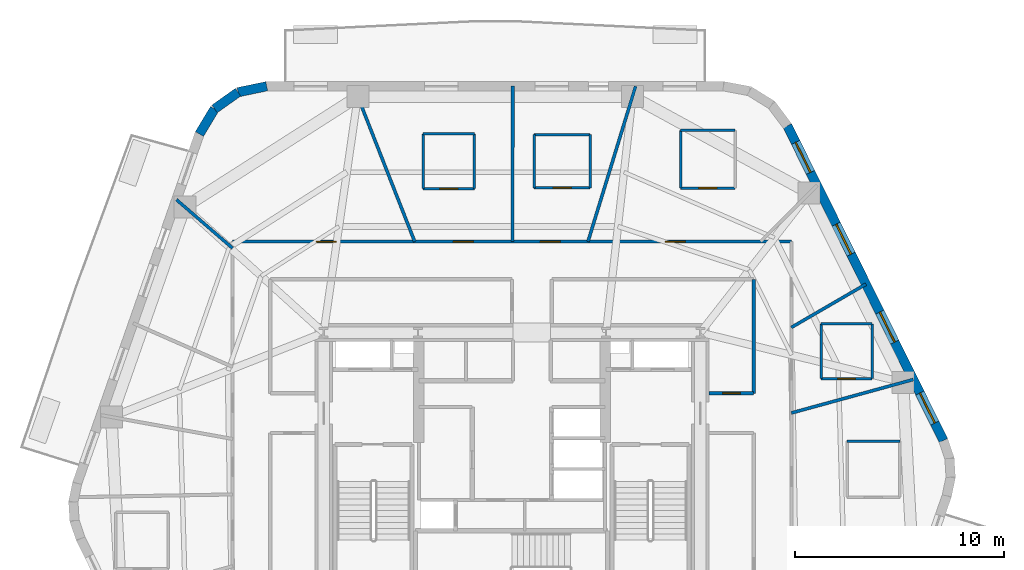
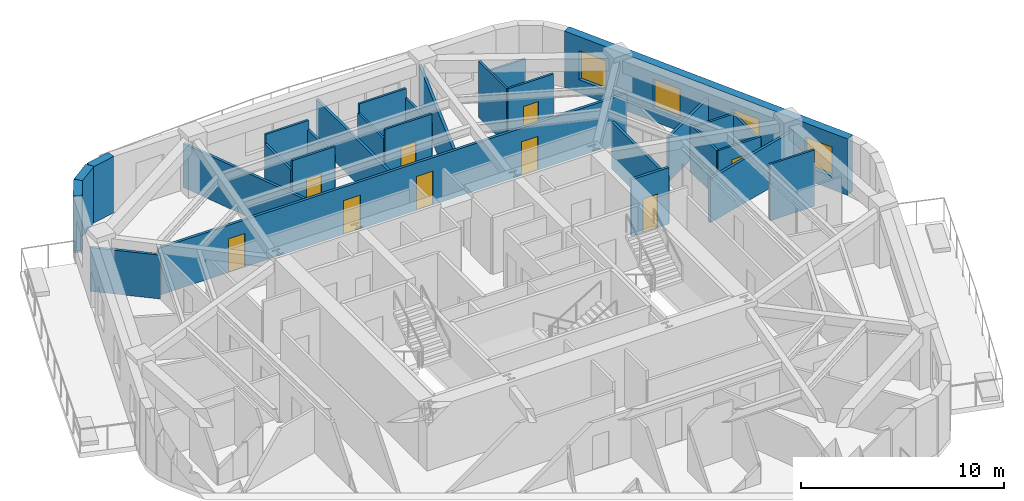
# One storey, part 6 of 11: 29 walls, 9 doors, 4 windows, 13 openings.
"""IFC4 building model written with IfcOpenShell, lengths in metres."""

from ifc_helpers import new_model, si_unit, direction, frame, frame_2d, origin, place, context, subcontext, project, spatial, rectangle, extrude, material, layer, layer_set, type_object, element, fill, save


model = new_model("IFC4")

# Units and contexts
model_context = context("Model", 3, precision=1e-05, world=origin(), true_north=direction((0.0, 1.0)))
body_context = subcontext(model_context, "Body", "Model", "MODEL_VIEW")
ifc_project = project(units=[si_unit("LENGTHUNIT", "METRE"), si_unit("AREAUNIT", "SQUARE_METRE"), si_unit("VOLUMEUNIT", "CUBIC_METRE"), si_unit("PLANEANGLEUNIT", "RADIAN"), si_unit("MASSUNIT", "GRAM", prefix="KILO")], contexts=[model_context])

# Site, building, storey
site_placement = place(None, origin())
site = spatial("IfcSite", under=ifc_project, at=site_placement, CompositionType="ELEMENT")
building_placement = place(site_placement, origin())
building = spatial("IfcBuilding", under=site, at=building_placement, Name="Kilnhurst Terrace Hotel", CompositionType="ELEMENT")
storey_placement = place(building_placement, frame((0.0, 0.0, 162.800048828125)))
storey = spatial("IfcBuildingStorey", under=building, at=storey_placement, Name="L40", CompositionType="ELEMENT", Elevation=162.800048828125)

# Walls
ifc_material_1 = material(Name="Precast concrete C40/50", Category="concrete")
ifc_layer_1 = layer(ifc_material_1, 0.449951171875, Name="Precast concrete C40/50")
ifc_layer_set_1 = layer_set([ifc_layer_1], Name="Precast concrete C40/50")
wall_type_1 = type_object("IfcWallType", Name="WL-BRK-450", PredefinedType="SOLIDWALL", material=ifc_layer_set_1)
wall_1_placement = place(storey_placement, frame((-11.720458984375, 19.27490234375, 0.0), z_axis=(0.0, 0.0, 1.0), x_axis=(-0.97893106758, -0.204191001093, 0.0)))
element("IfcWall", 1, at=wall_1_placement, inside=storey, type_object=wall_type_1, Name="L40 Rounded Corner Brick Wall C5.1", PredefinedType="SOLIDWALL", context=body_context, shape_type="SweptSolid", body=[
    extrude(rectangle(XDim=1.400146484375, YDim=0.449951171875, at=frame_2d((0.7001953125, 0.0))), origin(), (0.0, 0.0, 1.0), 3.39990234375),
])
wall_2_placement = place(storey_placement, frame((-13.091064453125, 18.989013671875, 0.0), z_axis=(0.0, 0.0, 1.0), x_axis=(-0.815574637848, -0.578651890258, 0.0)))
element("IfcWall", 2, at=wall_2_placement, inside=storey, type_object=wall_type_1, Name="L40 Rounded Corner Brick Wall C5.2", PredefinedType="SOLIDWALL", context=body_context, shape_type="SweptSolid", body=[
    extrude(rectangle(XDim=1.376708984375, YDim=0.449951171875, at=frame_2d((0.6884765625, 0.0))), origin(), (0.0, 0.0, 1.0), 3.39990234375),
])
wall_3_placement = place(storey_placement, frame((-14.2138671875, 18.1923828125, 0.0), z_axis=(0.0, 0.0, 1.0), x_axis=(-0.516340945502, -0.856383108193, 0.0)))
element("IfcWall", 3, at=wall_3_placement, inside=storey, type_object=wall_type_1, Name="L40 Rounded Corner Brick Wall C5.3", PredefinedType="SOLIDWALL", context=body_context, shape_type="SweptSolid", body=[
    extrude(rectangle(XDim=1.400146484375, YDim=0.449951171875, at=frame_2d((0.7001953125, 0.0))), origin(), (0.0, 0.0, 1.0), 3.39990234375),
])

# Wall, openings, windows
wall_4_placement = place(storey_placement, frame((20.618408203125, 2.343994140625, 0.0), z_axis=(0.0, 0.0, 1.0), x_axis=(-0.444243691097, 0.895905990002, 0.0)))
wall_4 = element("IfcWall", 4, at=wall_4_placement, inside=storey, type_object=wall_type_1, Name="L40 Exterior Brick Facade Wall F3", PredefinedType="SOLIDWALL", context=body_context, shape_type="SweptSolid", body=[
    extrude(rectangle(XDim=16.78369140625, YDim=0.449951171875, at=frame_2d((8.391845703125, 0.0))), origin(), (0.0, 0.0, 1.0), 3.39990234375),
])
opening_1_placement = place(wall_4_placement, frame((5.2451171875, 0.0, 0.800048828125)))
opening_1 = element("IfcOpeningElement", 5, at=opening_1_placement, cuts=wall_4, Name="Opening W-05", PredefinedType="OPENING", context=body_context, shape_type="SweptSolid", body=[
    extrude(rectangle(XDim=1.60009765625, YDim=1.75, at=frame_2d((0.800048828125, 0.875))), frame((0.0, 0.23486328125, 0.0), z_axis=(0.0, -1.0, 0.0), x_axis=(1.0, 0.0, 0.0)), (0.0, 0.0, 1.0), 0.469970703125),
])
opening_2_placement = place(wall_4_placement, frame((9.93603515625, 0.0, 0.800048828125)))
opening_2 = element("IfcOpeningElement", 6, at=opening_2_placement, cuts=wall_4, Name="Opening W-05", PredefinedType="OPENING", context=body_context, shape_type="SweptSolid", body=[
    extrude(rectangle(XDim=1.60009765625, YDim=1.75, at=frame_2d((0.800048828125, 0.875))), frame((0.0, 0.23486328125, 0.0), z_axis=(0.0, -1.0, 0.0), x_axis=(1.0, 0.0, 0.0)), (0.0, 0.0, 1.0), 0.469970703125),
])
opening_3_placement = place(wall_4_placement, frame((14.302978515625, 0.0, 0.800048828125)))
opening_3 = element("IfcOpeningElement", 7, at=opening_3_placement, cuts=wall_4, Name="Opening W-05", PredefinedType="OPENING", context=body_context, shape_type="SweptSolid", body=[
    extrude(rectangle(XDim=1.60009765625, YDim=1.75, at=frame_2d((0.800048828125, 0.875))), frame((0.0, 0.23486328125, 0.0), z_axis=(0.0, -1.0, 0.0), x_axis=(1.0, 0.0, 0.0)), (0.0, 0.0, 1.0), 0.469970703125),
])
opening_4_placement = place(wall_4_placement, frame((0.930908203125, 0.0, 0.800048828125)))
opening_4 = element("IfcOpeningElement", 8, at=opening_4_placement, cuts=wall_4, Name="Opening W-05", PredefinedType="OPENING", context=body_context, shape_type="SweptSolid", body=[
    extrude(rectangle(XDim=1.60009765625, YDim=1.75, at=frame_2d((0.800048828125, 0.875))), frame((0.0, 0.23486328125, 0.0), z_axis=(0.0, -1.0, 0.0), x_axis=(1.0, 0.0, 0.0)), (0.0, 0.0, 1.0), 0.469970703125),
])
ifc_material_2 = material(Name="Thermally Broken Bronze Aluminium Alloy 6063-T6 and Low-E Glass", Category="aluminium")
window_type = type_object("IfcWindowType", Name="WIN-1600X1750", PartitioningType="SINGLE_PANEL", PredefinedType="WINDOW", material=ifc_material_2)
window_1_placement = place(opening_1_placement, origin())
window_1 = element("IfcWindow", 9, at=window_1_placement, inside=storey, type_object=window_type, Name="L40 Deep-Set Masonry Window F3.1", OverallHeight=1.75, OverallWidth=1.60009765625, PartitioningType="SINGLE_PANEL", PredefinedType="WINDOW", context=body_context, shape_type="SweptSolid", body=[
    extrude(rectangle(XDim=1.60009765625, YDim=1.75, at=frame_2d((0.800048828125, 0.875))), frame((0.0, 0.030029296875, 0.0), z_axis=(0.0, -1.0, 0.0), x_axis=(1.0, 0.0, 0.0)), (0.0, 0.0, 1.0), 0.06005859375),
])
fill(opening_1, window_1)
window_2_placement = place(opening_2_placement, origin())
window_2 = element("IfcWindow", 10, at=window_2_placement, inside=storey, type_object=window_type, Name="L40 Deep-Set Masonry Window F3.2", OverallHeight=1.75, OverallWidth=1.60009765625, PartitioningType="SINGLE_PANEL", PredefinedType="WINDOW", context=body_context, shape_type="SweptSolid", body=[
    extrude(rectangle(XDim=1.60009765625, YDim=1.75, at=frame_2d((0.800048828125, 0.875))), frame((0.0, 0.030029296875, 0.0), z_axis=(0.0, -1.0, 0.0), x_axis=(1.0, 0.0, 0.0)), (0.0, 0.0, 1.0), 0.06005859375),
])
fill(opening_2, window_2)
window_3_placement = place(opening_3_placement, origin())
window_3 = element("IfcWindow", 11, at=window_3_placement, inside=storey, type_object=window_type, Name="L40 Deep-Set Masonry Window F3.3", OverallHeight=1.75, OverallWidth=1.60009765625, PartitioningType="SINGLE_PANEL", PredefinedType="WINDOW", context=body_context, shape_type="SweptSolid", body=[
    extrude(rectangle(XDim=1.60009765625, YDim=1.75, at=frame_2d((0.800048828125, 0.875))), frame((0.0, 0.030029296875, 0.0), z_axis=(0.0, -1.0, 0.0), x_axis=(1.0, 0.0, 0.0)), (0.0, 0.0, 1.0), 0.06005859375),
])
fill(opening_3, window_3)
window_4_placement = place(opening_4_placement, origin())
window_4 = element("IfcWindow", 12, at=window_4_placement, inside=storey, type_object=window_type, Name="L40 Deep-Set Masonry Window F3.4", OverallHeight=1.75, OverallWidth=1.60009765625, PartitioningType="SINGLE_PANEL", PredefinedType="WINDOW", context=body_context, shape_type="SweptSolid", body=[
    extrude(rectangle(XDim=1.60009765625, YDim=1.75, at=frame_2d((0.800048828125, 0.875))), frame((0.0, 0.030029296875, 0.0), z_axis=(0.0, -1.0, 0.0), x_axis=(1.0, 0.0, 0.0)), (0.0, 0.0, 1.0), 0.06005859375),
])
fill(opening_4, window_4)

# Wall, openings, doors
ifc_material_3 = material(Name="Acoustic Double-Gypsum Corridor Partition Assembly")
ifc_layer_2 = layer(ifc_material_3, 0.14990234375, Name="Acoustic Double-Gypsum Corridor Partition Assembly")
ifc_layer_set_2 = layer_set([ifc_layer_2], Name="Acoustic Double-Gypsum Corridor Partition Assembly")
wall_type_2 = type_object("IfcWallType", Name="WL-COR-150", PredefinedType="PARTITIONING", material=ifc_layer_set_2)
wall_5_placement = place(storey_placement, frame((-13.35009765625, 11.85009765625, 0.0), z_axis=(0.0, 0.0, 1.0), x_axis=(1.0, 0.0, 0.0)))
wall_5 = element("IfcWall", 13, at=wall_5_placement, inside=storey, type_object=wall_type_2, Name="L40 Interior Wall WL-L40-COR-03", PredefinedType="PARTITIONING", context=body_context, shape_type="SweptSolid", body=[
    extrude(rectangle(XDim=26.7001953125, YDim=0.14990234375, at=frame_2d((13.35009765625, 0.0))), origin(), (0.0, 0.0, 1.0), 2.83984375),
])
opening_5_placement = place(wall_5_placement, frame((20.681884765625, 0.0, 0.0)))
opening_5 = element("IfcOpeningElement", 14, at=opening_5_placement, cuts=wall_5, Name="Opening D-60B", PredefinedType="OPENING", context=body_context, shape_type="SweptSolid", body=[
    extrude(rectangle(XDim=0.949951171875, YDim=2.030029296875, at=frame_2d((0.47509765625, 1.01513671875))), frame((0.0, 0.0849609375, 0.0), z_axis=(0.0, -1.0, 0.0), x_axis=(1.0, 0.0, 0.0)), (0.0, 0.0, 1.0), 0.169921875),
])
opening_6_placement = place(wall_5_placement, frame((14.7080078125, 0.0, 0.0)))
opening_6 = element("IfcOpeningElement", 15, at=opening_6_placement, cuts=wall_5, Name="Opening D-60B", PredefinedType="OPENING", context=body_context, shape_type="SweptSolid", body=[
    extrude(rectangle(XDim=0.949951171875, YDim=2.030029296875, at=frame_2d((0.47509765625, 1.01513671875))), frame((0.0, 0.0849609375, 0.0), z_axis=(0.0, -1.0, 0.0), x_axis=(1.0, 0.0, 0.0)), (0.0, 0.0, 1.0), 0.169921875),
])
opening_7_placement = place(wall_5_placement, frame((10.552978515625, 0.0, 0.0)))
opening_7 = element("IfcOpeningElement", 16, at=opening_7_placement, cuts=wall_5, Name="Opening D-60B", PredefinedType="OPENING", context=body_context, shape_type="SweptSolid", body=[
    extrude(rectangle(XDim=0.949951171875, YDim=2.030029296875, at=frame_2d((0.47509765625, 1.01513671875))), frame((0.0, 0.0849609375, 0.0), z_axis=(0.0, -1.0, 0.0), x_axis=(1.0, 0.0, 0.0)), (0.0, 0.0, 1.0), 0.169921875),
])
opening_8_placement = place(wall_5_placement, frame((3.9951171875, 0.0, 0.0)))
opening_8 = element("IfcOpeningElement", 17, at=opening_8_placement, cuts=wall_5, Name="Opening D-60B", PredefinedType="OPENING", context=body_context, shape_type="SweptSolid", body=[
    extrude(rectangle(XDim=0.949951171875, YDim=2.030029296875, at=frame_2d((0.47509765625, 1.01513671875))), frame((0.0, 0.0849609375, 0.0), z_axis=(0.0, -1.0, 0.0), x_axis=(1.0, 0.0, 0.0)), (0.0, 0.0, 1.0), 0.169921875),
])
ifc_material_4 = material(Name="Acoustic Walnut Veneer Solid-Core Fire Door")
door_type_1 = type_object("IfcDoorType", Name="DR-FD60-950", OperationType="NOTDEFINED", PredefinedType="DOOR", material=ifc_material_4)
door_1_placement = place(opening_5_placement, origin())
door_1 = element("IfcDoor", 18, at=door_1_placement, inside=storey, type_object=door_type_1, Name="L40 Executive Suite Entry Door 3", OperationType="SINGLE_SWING_LEFT", OverallHeight=2.030029296875, OverallWidth=0.949951171875, PredefinedType="DOOR", context=body_context, shape_type="SweptSolid", body=[
    extrude(rectangle(XDim=0.949951171875, YDim=2.030029296875, at=frame_2d((0.47509765625, 1.01513671875))), frame((0.0, 0.02490234375, 0.0), z_axis=(0.0, -1.0, 0.0), x_axis=(1.0, 0.0, 0.0)), (0.0, 0.0, 1.0), 0.050048828125),
])
fill(opening_5, door_1)
door_2_placement = place(opening_6_placement, origin())
door_2 = element("IfcDoor", 19, at=door_2_placement, inside=storey, type_object=door_type_1, Name="L40 Guest Room Entry Door 4", OperationType="SINGLE_SWING_RIGHT", OverallHeight=2.030029296875, OverallWidth=0.949951171875, PredefinedType="DOOR", context=body_context, shape_type="SweptSolid", body=[
    extrude(rectangle(XDim=0.949951171875, YDim=2.030029296875, at=frame_2d((0.47509765625, 1.01513671875))), frame((0.0, 0.02490234375, 0.0), z_axis=(0.0, -1.0, 0.0), x_axis=(1.0, 0.0, 0.0)), (0.0, 0.0, 1.0), 0.050048828125),
])
fill(opening_6, door_2)
door_3_placement = place(opening_7_placement, origin())
door_3 = element("IfcDoor", 20, at=door_3_placement, inside=storey, type_object=door_type_1, Name="L40 Guest Room Entry Door 5", OperationType="SINGLE_SWING_LEFT", OverallHeight=2.030029296875, OverallWidth=0.949951171875, PredefinedType="DOOR", context=body_context, shape_type="SweptSolid", body=[
    extrude(rectangle(XDim=0.949951171875, YDim=2.030029296875, at=frame_2d((0.47509765625, 1.01513671875))), frame((0.0, 0.02490234375, 0.0), z_axis=(0.0, -1.0, 0.0), x_axis=(1.0, 0.0, 0.0)), (0.0, 0.0, 1.0), 0.050048828125),
])
fill(opening_7, door_3)
door_4_placement = place(opening_8_placement, origin())
door_4 = element("IfcDoor", 21, at=door_4_placement, inside=storey, type_object=door_type_1, Name="L40 Private Dining Room Door", OperationType="SINGLE_SWING_RIGHT", OverallHeight=2.030029296875, OverallWidth=0.949951171875, PredefinedType="DOOR", context=body_context, shape_type="SweptSolid", body=[
    extrude(rectangle(XDim=0.949951171875, YDim=2.030029296875, at=frame_2d((0.47509765625, 1.01513671875))), frame((0.0, 0.02490234375, 0.0), z_axis=(0.0, -1.0, 0.0), x_axis=(1.0, 0.0, 0.0)), (0.0, 0.0, 1.0), 0.050048828125),
])
fill(opening_8, door_4)

# Wall, opening, door
wall_6_placement = place(storey_placement, frame((9.425048828125, 4.60009765625, 0.0), z_axis=(0.0, 0.0, 1.0), x_axis=(1.0, 0.0, 0.0)))
wall_6 = element("IfcWall", 22, at=wall_6_placement, inside=storey, type_object=wall_type_2, Name="L40 Interior Wall WL-L40-COR-07", PredefinedType="PARTITIONING", context=body_context, shape_type="SweptSolid", body=[
    extrude(rectangle(XDim=2.125, YDim=0.14990234375, at=frame_2d((1.0625, 0.0))), origin(), (0.0, 0.0, 1.0), 3.39990234375),
])
opening_9_placement = place(wall_6_placement, frame((0.636962890625, 0.0, 0.0)))
opening_9 = element("IfcOpeningElement", 23, at=opening_9_placement, cuts=wall_6, Name="Opening D-60D", PredefinedType="OPENING", context=body_context, shape_type="SweptSolid", body=[
    extrude(rectangle(XDim=0.85009765625, YDim=2.030029296875, at=frame_2d((0.425048828125, 1.01513671875))), frame((0.0, 0.0849609375, 0.0), z_axis=(0.0, -1.0, 0.0), x_axis=(1.0, 0.0, 0.0)), (0.0, 0.0, 1.0), 0.169921875),
])
ifc_material_5 = material(Name="Painted Hollow Metal Steel ASTM A36 Riser Door", Category="steel")
door_type_2 = type_object("IfcDoorType", Name="DR-FD60-850", OperationType="NOTDEFINED", PredefinedType="DOOR", material=ifc_material_5)
door_5_placement = place(opening_9_placement, origin())
door_5 = element("IfcDoor", 24, at=door_5_placement, inside=storey, type_object=door_type_2, Name="L40 Floor Beverage Service Room Door", OperationType="SINGLE_SWING_LEFT", OverallHeight=2.030029296875, OverallWidth=0.85009765625, PredefinedType="DOOR", context=body_context, shape_type="SweptSolid", body=[
    extrude(rectangle(XDim=0.85009765625, YDim=2.030029296875, at=frame_2d((0.425048828125, 1.01513671875))), frame((0.0, 0.02490234375, 0.0), z_axis=(0.0, -1.0, 0.0), x_axis=(1.0, 0.0, 0.0)), (0.0, 0.0, 1.0), 0.050048828125),
])
fill(opening_9, door_5)

# Walls
wall_7_placement = place(storey_placement, frame((11.550048828125, 4.60009765625, 0.0), z_axis=(0.0, 0.0, 1.0), x_axis=(0.0, 1.0, 0.0)))
element("IfcWall", 25, at=wall_7_placement, inside=storey, type_object=wall_type_2, Name="L40 Interior Wall WL-L40-COR-08", PredefinedType="PARTITIONING", context=body_context, shape_type="SweptSolid", body=[
    extrude(rectangle(XDim=5.449951171875, YDim=0.14990234375, at=frame_2d((2.72509765625, 0.0))), origin(), (0.0, 0.0, 1.0), 2.83984375),
])
ifc_material_6 = material(Name="STC-58 Acoustic Twin-Frame Guestroom Demising Partition")
ifc_layer_3 = layer(ifc_material_6, 0.14990234375, Name="STC-58 Acoustic Twin-Frame Guestroom Demising Partition")
ifc_layer_set_3 = layer_set([ifc_layer_3], Name="STC-58 Acoustic Twin-Frame Guestroom Demising Partition")
wall_type_3 = type_object("IfcWallType", Name="WL-DEM-150", PredefinedType="PARTITIONING", material=ifc_layer_set_3)
wall_8_placement = place(storey_placement, frame((13.35009765625, 3.66064453125, 0.0), z_axis=(0.0, 0.0, 1.0), x_axis=(0.964397145454, 0.264458211898, 0.0)))
element("IfcWall", 26, at=wall_8_placement, inside=storey, type_object=wall_type_3, Name="L40 Interior Wall WL-L40-DEM-COL01-01-1", PredefinedType="PARTITIONING", context=body_context, shape_type="SweptSolid", body=[
    extrude(rectangle(XDim=6.03857421875, YDim=0.14990234375, at=frame_2d((3.019287109375, 0.0))), origin(), (0.0, 0.0, 1.0), 2.639892578125),
])
wall_9_placement = place(storey_placement, frame((13.35009765625, 7.74755859375, 0.0), z_axis=(0.0, 0.0, 1.0), x_axis=(0.864894342526, 0.501953958313, 0.0)))
element("IfcWall", 27, at=wall_9_placement, inside=storey, type_object=wall_type_3, Name="L40 Interior Wall WL-L40-DEM-MID01-02-1", PredefinedType="PARTITIONING", context=body_context, shape_type="SweptSolid", body=[
    extrude(rectangle(XDim=4.1201171875, YDim=0.14990234375, at=frame_2d((2.06005859375, 0.0))), origin(), (0.0, 0.0, 1.0), 2.639892578125),
])
wall_10_placement = place(storey_placement, frame((3.63134765625, 11.85009765625, 0.0), z_axis=(0.0, 0.0, 1.0), x_axis=(0.293007573338, 0.956110120209, 0.0)))
element("IfcWall", 28, at=wall_10_placement, inside=storey, type_object=wall_type_3, Name="L40 Interior Wall WL-L40-DEM-COL03-04-1", PredefinedType="PARTITIONING", context=body_context, shape_type="SweptSolid", body=[
    extrude(rectangle(XDim=7.765625, YDim=0.14990234375, at=frame_2d((3.8828125, 0.0))), origin(), (0.0, 0.0, 1.0), 2.639892578125),
])
wall_11_placement = place(storey_placement, frame((0.023681640625, 11.85009765625, 0.0), z_axis=(0.0, 0.0, 1.0), x_axis=(0.001972901592, 0.999998053828, 0.0)))
element("IfcWall", 29, at=wall_11_placement, inside=storey, type_object=wall_type_3, Name="L40 Interior Wall WL-L40-DEM-MID03-05-1", PredefinedType="PARTITIONING", context=body_context, shape_type="SweptSolid", body=[
    extrude(rectangle(XDim=7.4248046875, YDim=0.14990234375, at=frame_2d((3.71240234375, 0.0))), origin(), (0.0, 0.0, 1.0), 2.639892578125),
])
wall_12_placement = place(storey_placement, frame((-4.64990234375, 11.85009765625, 0.0), z_axis=(0.0, 0.0, 1.0), x_axis=(-0.365265947993, 0.930903210456, 0.0)))
element("IfcWall", 30, at=wall_12_placement, inside=storey, type_object=wall_type_3, Name="L40 Interior Wall WL-L40-DEM-COL04-06-1", PredefinedType="PARTITIONING", context=body_context, shape_type="SweptSolid", body=[
    extrude(rectangle(XDim=7.975830078125, YDim=0.14990234375, at=frame_2d((3.98779296875, 0.0))), origin(), (0.0, 0.0, 1.0), 2.639892578125),
])
wall_13_placement = place(storey_placement, frame((-13.35009765625, 11.53271484375, 0.0), z_axis=(0.0, 0.0, 1.0), x_axis=(-0.756711647314, 0.65374879183, 0.0)))
element("IfcWall", 31, at=wall_13_placement, inside=storey, type_object=wall_type_3, Name="L40 Interior Wall WL-L40-DEM-COL05-07-1", PredefinedType="PARTITIONING", context=body_context, shape_type="SweptSolid", body=[
    extrude(rectangle(XDim=3.549560546875, YDim=0.14990234375, at=frame_2d((1.77490234375, 0.0))), origin(), (0.0, 0.0, 1.0), 2.639892578125),
])

# Wall, opening, door
ifc_material_7 = material(Name="120 mm Moisture-Resistant Tile-Backed Bathroom Partition")
ifc_layer_4 = layer(ifc_material_7, 0.1201171875, Name="120 mm Moisture-Resistant Tile-Backed Bathroom Partition")
ifc_layer_set_4 = layer_set([ifc_layer_4], Name="120 mm Moisture-Resistant Tile-Backed Bathroom Partition")
wall_type_4 = type_object("IfcWallType", Name="WL-PART-120", PredefinedType="PARTITIONING", material=ifc_layer_set_4)
wall_14_placement = place(storey_placement, frame((14.77001953125, 5.305908203125, 0.0), z_axis=(0.0, 0.0, 1.0), x_axis=(1.0, 0.0, 0.0)))
wall_14 = element("IfcWall", 32, at=wall_14_placement, inside=storey, type_object=wall_type_4, Name="L40 Interior Wall WL-L40-BTH-01-1", PredefinedType="PARTITIONING", context=body_context, shape_type="SweptSolid", body=[
    extrude(rectangle(XDim=2.43994140625, YDim=0.1201171875, at=frame_2d((1.219970703125, 0.0))), origin(), (0.0, 0.0, 1.0), 2.83984375),
])
opening_10_placement = place(wall_14_placement, frame((0.794921875, 0.0, 0.0)))
opening_10 = element("IfcOpeningElement", 33, at=opening_10_placement, cuts=wall_14, Name="Opening D-08A", PredefinedType="OPENING", context=body_context, shape_type="SweptSolid", body=[
    extrude(rectangle(XDim=0.85009765625, YDim=2.030029296875, at=frame_2d((0.425048828125, 1.01513671875))), frame((0.0, 0.070068359375, 0.0), z_axis=(0.0, -1.0, 0.0), x_axis=(1.0, 0.0, 0.0)), (0.0, 0.0, 1.0), 0.14013671875),
])
ifc_material_8 = material(Name="Moisture-Resistant Lacquered En-suite Bathroom Door")
door_type_3 = type_object("IfcDoorType", Name="DR-INT-850", OperationType="NOTDEFINED", PredefinedType="DOOR", material=ifc_material_8)
door_6_placement = place(opening_10_placement, origin())
door_6 = element("IfcDoor", 34, at=door_6_placement, inside=storey, type_object=door_type_3, Name="L40 En-suite Bathroom Door 1", OperationType="SINGLE_SWING_RIGHT", OverallHeight=2.030029296875, OverallWidth=0.85009765625, PredefinedType="DOOR", context=body_context, shape_type="SweptSolid", body=[
    extrude(rectangle(XDim=0.85009765625, YDim=2.030029296875, at=frame_2d((0.425048828125, 1.01513671875))), frame((0.0, 0.02490234375, 0.0), z_axis=(0.0, -1.0, 0.0), x_axis=(1.0, 0.0, 0.0)), (0.0, 0.0, 1.0), 0.050048828125),
])
fill(opening_10, door_6)

# Walls
wall_15_placement = place(storey_placement, frame((17.2099609375, 5.305908203125, 0.0), z_axis=(0.0, 0.0, 1.0), x_axis=(0.0, 1.0, 0.0)))
element("IfcWall", 35, at=wall_15_placement, inside=storey, type_object=wall_type_4, Name="L40 Interior Wall WL-L40-BTH-01-2", PredefinedType="PARTITIONING", context=body_context, shape_type="SweptSolid", body=[
    extrude(rectangle(XDim=2.610107421875, YDim=0.1201171875, at=frame_2d((1.30517578125, 0.0))), origin(), (0.0, 0.0, 1.0), 2.639892578125),
])
wall_16_placement = place(storey_placement, frame((17.2099609375, 7.916015625, 0.0), z_axis=(0.0, 0.0, 1.0), x_axis=(-1.0, 0.0, 0.0)))
element("IfcWall", 36, at=wall_16_placement, inside=storey, type_object=wall_type_4, Name="L40 Interior Wall WL-L40-BTH-01-3", PredefinedType="PARTITIONING", context=body_context, shape_type="SweptSolid", body=[
    extrude(rectangle(XDim=2.43994140625, YDim=0.1201171875, at=frame_2d((1.219970703125, 0.0))), origin(), (0.0, 0.0, 1.0), 2.639892578125),
])
wall_17_placement = place(storey_placement, frame((14.77001953125, 7.916015625, 0.0), z_axis=(0.0, 0.0, 1.0), x_axis=(0.0, -1.0, 0.0)))
element("IfcWall", 37, at=wall_17_placement, inside=storey, type_object=wall_type_4, Name="L40 Interior Wall WL-L40-BTH-01-4", PredefinedType="PARTITIONING", context=body_context, shape_type="SweptSolid", body=[
    extrude(rectangle(XDim=2.610107421875, YDim=0.1201171875, at=frame_2d((1.30517578125, 0.0))), origin(), (0.0, 0.0, 1.0), 2.83984375),
])

# Wall, opening, door
wall_18_placement = place(storey_placement, frame((8.05810546875, 14.410888671875, 0.0), z_axis=(0.0, 0.0, 1.0), x_axis=(1.0, 0.0, 0.0)))
wall_18 = element("IfcWall", 38, at=wall_18_placement, inside=storey, type_object=wall_type_4, Name="L40 Interior Wall WL-L40-BTH-03-1", PredefinedType="PARTITIONING", context=body_context, shape_type="SweptSolid", body=[
    extrude(rectangle(XDim=2.599853515625, YDim=0.1201171875, at=frame_2d((1.2998046875, 0.0))), origin(), (0.0, 0.0, 1.0), 3.39990234375),
])
opening_11_placement = place(wall_18_placement, frame((0.875, 0.0, 0.0)))
opening_11 = element("IfcOpeningElement", 39, at=opening_11_placement, cuts=wall_18, Name="Opening D-08A", PredefinedType="OPENING", context=body_context, shape_type="SweptSolid", body=[
    extrude(rectangle(XDim=0.85009765625, YDim=2.030029296875, at=frame_2d((0.425048828125, 1.01513671875))), frame((0.0, 0.070068359375, 0.0), z_axis=(0.0, -1.0, 0.0), x_axis=(1.0, 0.0, 0.0)), (0.0, 0.0, 1.0), 0.14013671875),
])
door_7_placement = place(opening_11_placement, origin())
door_7 = element("IfcDoor", 40, at=door_7_placement, inside=storey, type_object=door_type_3, Name="L40 En-suite Bathroom Door 3", OperationType="SINGLE_SWING_RIGHT", OverallHeight=2.030029296875, OverallWidth=0.85009765625, PredefinedType="DOOR", context=body_context, shape_type="SweptSolid", body=[
    extrude(rectangle(XDim=0.85009765625, YDim=2.030029296875, at=frame_2d((0.425048828125, 1.01513671875))), frame((0.0, 0.02490234375, 0.0), z_axis=(0.0, -1.0, 0.0), x_axis=(1.0, 0.0, 0.0)), (0.0, 0.0, 1.0), 0.050048828125),
])
fill(opening_11, door_7)

# Walls
wall_19_placement = place(storey_placement, frame((10.657958984375, 17.160888671875, 0.0), z_axis=(0.0, 0.0, 1.0), x_axis=(-1.0, 0.0, 0.0)))
element("IfcWall", 41, at=wall_19_placement, inside=storey, type_object=wall_type_4, Name="L40 Interior Wall WL-L40-BTH-03-3", PredefinedType="PARTITIONING", context=body_context, shape_type="SweptSolid", body=[
    extrude(rectangle(XDim=2.599853515625, YDim=0.1201171875, at=frame_2d((1.2998046875, 0.0))), origin(), (0.0, 0.0, 1.0), 2.639892578125),
])
wall_20_placement = place(storey_placement, frame((8.05810546875, 17.160888671875, 0.0), z_axis=(0.0, 0.0, 1.0), x_axis=(0.0, -1.0, 0.0)))
element("IfcWall", 42, at=wall_20_placement, inside=storey, type_object=wall_type_4, Name="L40 Interior Wall WL-L40-BTH-03-4", PredefinedType="PARTITIONING", context=body_context, shape_type="SweptSolid", body=[
    extrude(rectangle(XDim=2.75, YDim=0.1201171875, at=frame_2d((1.375, 0.0))), origin(), (0.0, 0.0, 1.0), 3.39990234375),
])

# Wall, opening, door
wall_21_placement = place(storey_placement, frame((1.054931640625, 14.41796875, 0.0), z_axis=(0.0, 0.0, 1.0), x_axis=(1.0, 0.0, 0.0)))
wall_21 = element("IfcWall", 43, at=wall_21_placement, inside=storey, type_object=wall_type_4, Name="L40 Interior Wall WL-L40-BTH-04-1", PredefinedType="PARTITIONING", context=body_context, shape_type="SweptSolid", body=[
    extrude(rectangle(XDim=2.68017578125, YDim=0.1201171875, at=frame_2d((1.340087890625, 0.0))), origin(), (0.0, 0.0, 1.0), 3.39990234375),
])
opening_12_placement = place(wall_21_placement, frame((0.9150390625, 0.0, 0.0)))
opening_12 = element("IfcOpeningElement", 44, at=opening_12_placement, cuts=wall_21, Name="Opening D-08A", PredefinedType="OPENING", context=body_context, shape_type="SweptSolid", body=[
    extrude(rectangle(XDim=0.85009765625, YDim=2.030029296875, at=frame_2d((0.425048828125, 1.01513671875))), frame((0.0, 0.070068359375, 0.0), z_axis=(0.0, -1.0, 0.0), x_axis=(1.0, 0.0, 0.0)), (0.0, 0.0, 1.0), 0.14013671875),
])
door_8_placement = place(opening_12_placement, origin())
door_8 = element("IfcDoor", 45, at=door_8_placement, inside=storey, type_object=door_type_3, Name="L40 En-suite Bathroom Door 4", OperationType="SINGLE_SWING_LEFT", OverallHeight=2.030029296875, OverallWidth=0.85009765625, PredefinedType="DOOR", context=body_context, shape_type="SweptSolid", body=[
    extrude(rectangle(XDim=0.85009765625, YDim=2.030029296875, at=frame_2d((0.425048828125, 1.01513671875))), frame((0.0, 0.02490234375, 0.0), z_axis=(0.0, -1.0, 0.0), x_axis=(1.0, 0.0, 0.0)), (0.0, 0.0, 1.0), 0.050048828125),
])
fill(opening_12, door_8)

# Walls
wall_22_placement = place(storey_placement, frame((3.735107421875, 14.41796875, 0.0), z_axis=(0.0, 0.0, 1.0), x_axis=(0.0, 1.0, 0.0)))
element("IfcWall", 46, at=wall_22_placement, inside=storey, type_object=wall_type_4, Name="L40 Interior Wall WL-L40-BTH-04-2", PredefinedType="PARTITIONING", context=body_context, shape_type="SweptSolid", body=[
    extrude(rectangle(XDim=2.5400390625, YDim=0.1201171875, at=frame_2d((1.27001953125, 0.0))), origin(), (0.0, 0.0, 1.0), 2.84033203125),
])
wall_23_placement = place(storey_placement, frame((3.735107421875, 16.9580078125, 0.0), z_axis=(0.0, 0.0, 1.0), x_axis=(-1.0, 0.0, 0.0)))
element("IfcWall", 47, at=wall_23_placement, inside=storey, type_object=wall_type_4, Name="L40 Interior Wall WL-L40-BTH-04-3", PredefinedType="PARTITIONING", context=body_context, shape_type="SweptSolid", body=[
    extrude(rectangle(XDim=2.68017578125, YDim=0.1201171875, at=frame_2d((1.340087890625, 0.0))), origin(), (0.0, 0.0, 1.0), 3.39990234375),
])
wall_24_placement = place(storey_placement, frame((1.054931640625, 16.9580078125, 0.0), z_axis=(0.0, 0.0, 1.0), x_axis=(0.0, -1.0, 0.0)))
element("IfcWall", 48, at=wall_24_placement, inside=storey, type_object=wall_type_4, Name="L40 Interior Wall WL-L40-BTH-04-4", PredefinedType="PARTITIONING", context=body_context, shape_type="SweptSolid", body=[
    extrude(rectangle(XDim=2.5400390625, YDim=0.1201171875, at=frame_2d((1.27001953125, 0.0))), origin(), (0.0, 0.0, 1.0), 2.84033203125),
])

# Wall, opening, door
wall_25_placement = place(storey_placement, frame((-4.242919921875, 14.383056640625, 0.0), z_axis=(0.0, 0.0, 1.0), x_axis=(1.0, 0.0, 0.0)))
wall_25 = element("IfcWall", 49, at=wall_25_placement, inside=storey, type_object=wall_type_4, Name="L40 Interior Wall WL-L40-BTH-05-1", PredefinedType="PARTITIONING", context=body_context, shape_type="SweptSolid", body=[
    extrude(rectangle(XDim=2.43994140625, YDim=0.1201171875, at=frame_2d((1.219970703125, 0.0))), origin(), (0.0, 0.0, 1.0), 3.39990234375),
])
opening_13_placement = place(wall_25_placement, frame((0.794921875, 0.0, 0.0)))
opening_13 = element("IfcOpeningElement", 50, at=opening_13_placement, cuts=wall_25, Name="Opening D-08A", PredefinedType="OPENING", context=body_context, shape_type="SweptSolid", body=[
    extrude(rectangle(XDim=0.85009765625, YDim=2.030029296875, at=frame_2d((0.425048828125, 1.01513671875))), frame((0.0, 0.070068359375, 0.0), z_axis=(0.0, -1.0, 0.0), x_axis=(1.0, 0.0, 0.0)), (0.0, 0.0, 1.0), 0.14013671875),
])
door_9_placement = place(opening_13_placement, origin())
door_9 = element("IfcDoor", 51, at=door_9_placement, inside=storey, type_object=door_type_3, Name="L40 En-suite Bathroom Door 5", OperationType="SINGLE_SWING_RIGHT", OverallHeight=2.030029296875, OverallWidth=0.85009765625, PredefinedType="DOOR", context=body_context, shape_type="SweptSolid", body=[
    extrude(rectangle(XDim=0.85009765625, YDim=2.030029296875, at=frame_2d((0.425048828125, 1.01513671875))), frame((0.0, 0.02490234375, 0.0), z_axis=(0.0, -1.0, 0.0), x_axis=(1.0, 0.0, 0.0)), (0.0, 0.0, 1.0), 0.050048828125),
])
fill(opening_13, door_9)

# Walls
wall_26_placement = place(storey_placement, frame((-1.802978515625, 14.383056640625, 0.0), z_axis=(0.0, 0.0, 1.0), x_axis=(0.0, 1.0, 0.0)))
element("IfcWall", 52, at=wall_26_placement, inside=storey, type_object=wall_type_4, Name="L40 Interior Wall WL-L40-BTH-05-2", PredefinedType="PARTITIONING", context=body_context, shape_type="SweptSolid", body=[
    extrude(rectangle(XDim=2.60986328125, YDim=0.1201171875, at=frame_2d((1.304931640625, 0.0))), origin(), (0.0, 0.0, 1.0), 2.84033203125),
])
wall_27_placement = place(storey_placement, frame((-1.802978515625, 16.992919921875, 0.0), z_axis=(0.0, 0.0, 1.0), x_axis=(-1.0, 0.0, 0.0)))
element("IfcWall", 53, at=wall_27_placement, inside=storey, type_object=wall_type_4, Name="L40 Interior Wall WL-L40-BTH-05-3", PredefinedType="PARTITIONING", context=body_context, shape_type="SweptSolid", body=[
    extrude(rectangle(XDim=2.43994140625, YDim=0.1201171875, at=frame_2d((1.219970703125, 0.0))), origin(), (0.0, 0.0, 1.0), 3.39990234375),
])
wall_28_placement = place(storey_placement, frame((-4.242919921875, 16.992919921875, 0.0), z_axis=(0.0, 0.0, 1.0), x_axis=(0.0, -1.0, 0.0)))
element("IfcWall", 54, at=wall_28_placement, inside=storey, type_object=wall_type_4, Name="L40 Interior Wall WL-L40-BTH-05-4", PredefinedType="PARTITIONING", context=body_context, shape_type="SweptSolid", body=[
    extrude(rectangle(XDim=2.60986328125, YDim=0.1201171875, at=frame_2d((1.304931640625, 0.0))), origin(), (0.0, 0.0, 1.0), 2.84033203125),
])
wall_29_placement = place(storey_placement, frame((18.530029296875, 2.31298828125, 0.0), z_axis=(0.0, 0.0, 1.0), x_axis=(-1.0, 0.0, 0.0)))
element("IfcWall", 55, at=wall_29_placement, inside=storey, type_object=wall_type_4, Name="L40 Interior Wall WL-L40-BTH-18-3", PredefinedType="PARTITIONING", context=body_context, shape_type="SweptSolid", body=[
    extrude(rectangle(XDim=2.52001953125, YDim=0.1201171875, at=frame_2d((1.260009765625, 0.0))), origin(), (0.0, 0.0, 1.0), 3.39990234375),
])

save(model, "model.ifc")
